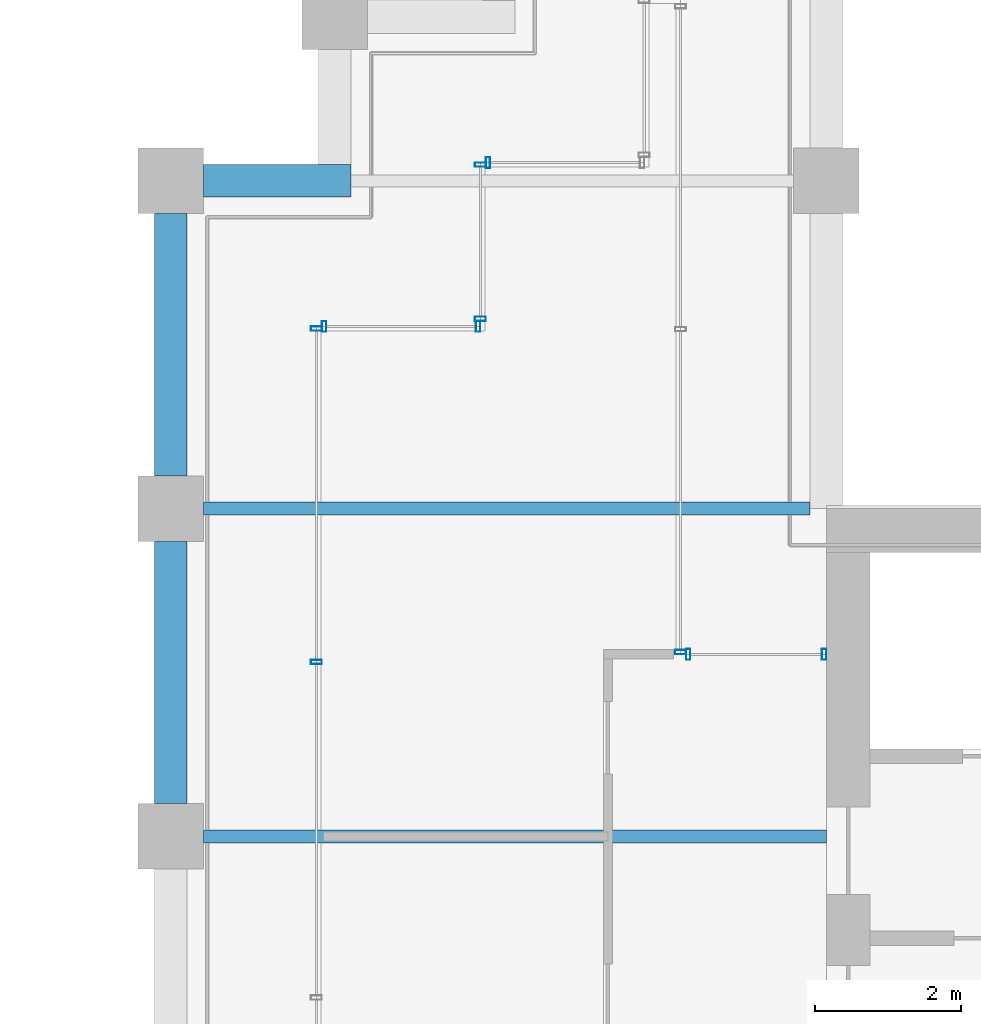
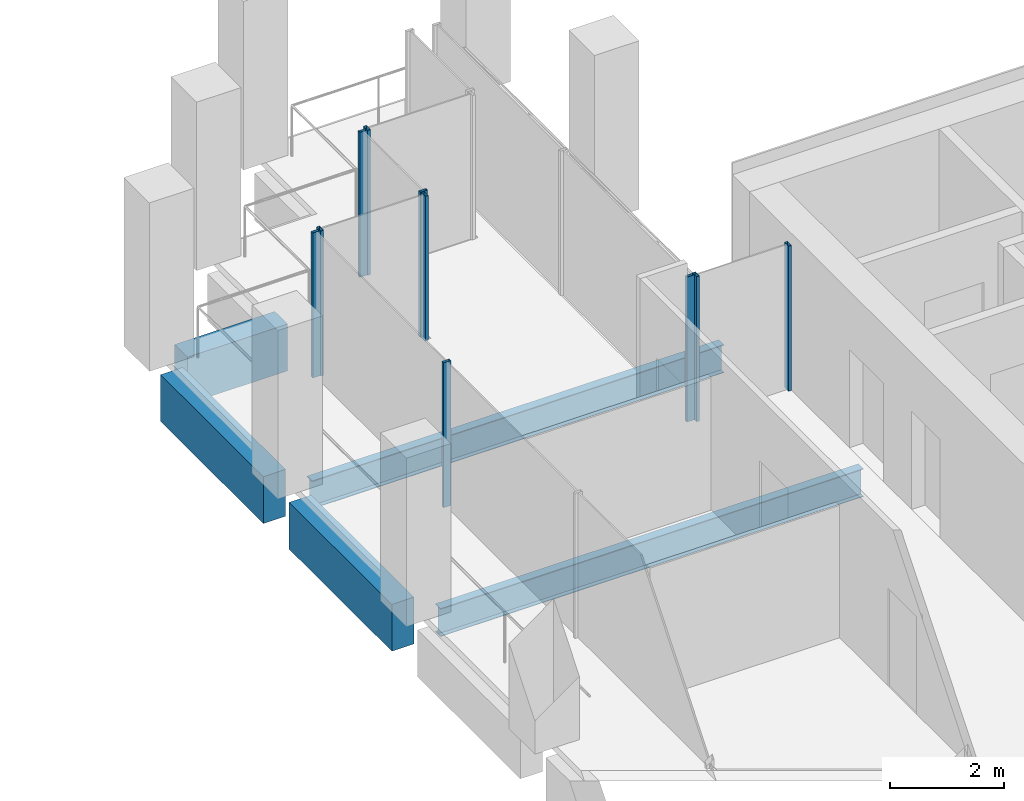
# One storey, part 32 of 40: 10 members, 5 beams, 6 elements without a shape of their own.
"""IFC4 building model written with IfcOpenShell, lengths in metres."""

import ifcopenshell
import ifcopenshell.guid

model = None  # the IFC model being written
_history = None  # IfcOwnerHistory: only IFC2X3 demands one
_inside = {}  # id of a spatial element -> (the spatial element, [elements in it])
_under = {}  # id of a project, library or spatial element -> (it, [spatial elements below it])
_declared = {}  # id of a project -> (the project, [libraries it declares])
_typed = {}  # id of a type object -> (the type object, [elements of that type])
_made_of = {}  # id of a material, layer set ... -> (it, [elements and type objects made of it])


def new_model(schema):
    """Start an empty IFC model of exactly this schema.

    Asked for "IFC4X3", IfcOpenShell would pick the latest addendum, in which some entities
    have other attributes; the version numbers below select the first issue.
    IFC2X3 requires an IfcOwnerHistory on every rooted entity: one is made here for all.
    """
    global model, _history
    if schema == "IFC4X3":
        model = ifcopenshell.file(schema_version=(4, 3, 0, 0))
    else:
        model = ifcopenshell.file(schema=schema)
    _inside.clear()
    _under.clear()
    _declared.clear()
    _typed.clear()
    _made_of.clear()
    _history = None
    if model.schema == "IFC2X3":
        org = make("IfcOrganization", Name="unknown")
        user = make(
            "IfcPersonAndOrganization",
            ThePerson=make("IfcPerson", FamilyName="unknown"),
            TheOrganization=org,
        )
        app = make(
            "IfcApplication",
            ApplicationDeveloper=org,
            Version="unknown",
            ApplicationFullName="unknown",
            ApplicationIdentifier="unknown",
        )
        _history = make(
            "IfcOwnerHistory",
            OwningUser=user,
            OwningApplication=app,
            ChangeAction="ADDED",
            CreationDate=0,
        )
    return model


def make(cls, **values):
    """One entity of the class cls with the attributes given. An attribute that is None is left unset."""
    return model.create_entity(
        cls, **{name: value for name, value in values.items() if value is not None}
    )


def rooted(cls, **values):
    """An entity with a GlobalId (a new one), such as an element, a storey or a relation."""
    return make(cls, GlobalId=ifcopenshell.guid.new(), OwnerHistory=_history, **values)


def si_unit(unit_type, name, prefix=None):
    """IfcSIUnit, for example si_unit("LENGTHUNIT", "METRE", prefix="MILLI")."""
    return make("IfcSIUnit", UnitType=unit_type, Prefix=prefix, Name=name)


def assignment(units):
    """IfcUnitAssignment: the units of a project."""
    return None if units is None else make("IfcUnitAssignment", Units=units)


def point(xyz):
    """IfcCartesianPoint."""
    return None if xyz is None else make("IfcCartesianPoint", Coordinates=xyz)


def direction(xyz):
    """IfcDirection."""
    return None if xyz is None else make("IfcDirection", DirectionRatios=xyz)


def frame(location, z_axis=None, x_axis=None):
    """IfcAxis2Placement3D, a coordinate frame: its origin and axes. An axis left out is left unset."""
    return make(
        "IfcAxis2Placement3D",
        Location=point(location),
        Axis=direction(z_axis),
        RefDirection=direction(x_axis),
    )


def frame_2d(location, x_axis=None):
    """IfcAxis2Placement2D, a coordinate frame in the plane: its origin and x axis."""
    return make(
        "IfcAxis2Placement2D", Location=point(location), RefDirection=direction(x_axis)
    )


def origin():
    """The frame at (0, 0, 0) with its axes left unset."""
    return frame((0.0, 0.0, 0.0))


def origin_2d():
    """The frame at (0, 0) in the plane with its x axis left unset."""
    return frame_2d((0.0, 0.0))


def place(relative_to, where):
    """IfcLocalPlacement: puts the frame where relative to a parent placement (None: the world)."""
    return make(
        "IfcLocalPlacement", PlacementRelTo=relative_to, RelativePlacement=where
    )


def context(
    kind, dimensions, precision=None, world=None, true_north=None, identifier=None
):
    """IfcGeometricRepresentationContext, for example the 3D "Model" context."""
    return make(
        "IfcGeometricRepresentationContext",
        ContextIdentifier=identifier,
        ContextType=kind,
        CoordinateSpaceDimension=dimensions,
        Precision=precision,
        WorldCoordinateSystem=world,
        TrueNorth=true_north,
    )


def subcontext(parent, identifier, kind, view, scale=None):
    """IfcGeometricRepresentationSubContext, for example "Body" below "Model"."""
    return make(
        "IfcGeometricRepresentationSubContext",
        ContextIdentifier=identifier,
        ContextType=kind,
        ParentContext=parent,
        TargetScale=scale,
        TargetView=view,
    )


def project(units=None, contexts=None):
    """IfcProject with its units and contexts."""
    return rooted(
        "IfcProject",
        Name="project",
        RepresentationContexts=contexts,
        UnitsInContext=assignment(units),
    )


def spatial(cls, under=None, at=None, **own):
    """A site, building, storey or space (cls), placed at a placement, below another one or the project."""
    s = rooted(cls, ObjectPlacement=at, **own)
    if under is not None:
        _under.setdefault(under.id(), (under, []))[1].append(s)
    return s


def profile(cls, at=None, kind="AREA", **sizes):
    """A parametric profile (cls). Its sizes go by their IFC names, for example OverallWidth=200.0."""
    return make(cls, ProfileType=kind, Position=at, **sizes)


def rectangle(**sizes):
    """IfcRectangleProfileDef."""
    return profile("IfcRectangleProfileDef", **sizes)


def hollow_rectangle(**sizes):
    """IfcRectangleHollowProfileDef."""
    return profile("IfcRectangleHollowProfileDef", **sizes)


def i_section(**sizes):
    """IfcIShapeProfileDef."""
    return profile("IfcIShapeProfileDef", **sizes)


def extrude(swept, where, along, depth):
    """IfcExtrudedAreaSolid: the profile swept, set in the frame where, extruded along a direction by depth."""
    return make(
        "IfcExtrudedAreaSolid",
        SweptArea=swept,
        Position=where,
        ExtrudedDirection=direction(along),
        Depth=depth,
    )


def shape(context_of_items, identifier, shape_type, items):
    """IfcShapeRepresentation: the items that make up one representation, for example the "Body"."""
    return make(
        "IfcShapeRepresentation",
        ContextOfItems=context_of_items,
        RepresentationIdentifier=identifier,
        RepresentationType=shape_type,
        Items=items,
    )


def material(Name=None, Category=None):
    """IfcMaterial."""
    return make("IfcMaterial", Name=Name, Category=Category)


def material_profile(
    of_material, cross_section, Name=None, Category=None, Priority=None
):
    """IfcMaterialProfile: a cross section and its material."""
    return make(
        "IfcMaterialProfile",
        Name=Name,
        Material=of_material,
        Profile=cross_section,
        Priority=Priority,
        Category=Category,
    )


def profile_set(profiles, Name=None, composite=None):
    """IfcMaterialProfileSet."""
    return make(
        "IfcMaterialProfileSet",
        Name=Name,
        MaterialProfiles=profiles,
        CompositeProfile=composite,
    )


def made_of(thing, what):
    """Note that an element or type object is made of a material, layer set ...; save() writes the relation."""
    if what is not None:
        _made_of.setdefault(what.id(), (what, []))[1].append(thing)
    return thing


def type_object(cls, material=None, **own):
    """A type object (cls), such as IfcWallType, which elements share."""
    return made_of(rooted(cls, **own), material)


def element(
    cls,
    number,
    at=None,
    inside=None,
    cuts=None,
    type_object=None,
    material=None,
    context=None,
    identifier="Body",
    shape_type=None,
    held_by="IfcProductDefinitionShape",
    body=None,
    shapes=None,
    **own,
):
    """One element of the class cls, such as IfcWall. Its Tag is "e" and its number.

    at: its placement. inside: the storey or other place that contains it. cuts: it is an
    opening in that element (IfcRelVoidsElement). A single representation is given by context,
    identifier, shape_type and body (its items); several are given by shapes. held_by: the class
    of the entity that holds the representations. save() writes the other relations.
    """
    e = rooted(cls, Tag="e%d" % number, ObjectPlacement=at, **own)
    if body is not None:
        shapes = [shape(context, identifier, shape_type, body)]
    if shapes is not None:
        e.Representation = make(held_by, Representations=shapes)
    if inside is not None:
        _inside.setdefault(inside.id(), (inside, []))[1].append(e)
    if cuts is not None:
        rooted(
            "IfcRelVoidsElement", RelatingBuildingElement=cuts, RelatedOpeningElement=e
        )
    if type_object is not None:
        _typed.setdefault(type_object.id(), (type_object, []))[1].append(e)
    return made_of(e, material)


def aggregate(whole, parts):
    """IfcRelAggregates: a whole, such as a stair, and the parts it consists of."""
    return rooted("IfcRelAggregates", RelatingObject=whole, RelatedObjects=parts)


def save(model, path):
    """Write the relations noted so far, then the file.

    IfcRelAggregates (storeys below a building ...), IfcRelContainedInSpatialStructure (elements
    in a storey), IfcRelDefinesByType, IfcRelAssociatesMaterial and IfcRelDeclares: one each for
    every whole, place, type object, material and project.
    """
    for whole, parts in _under.values():
        aggregate(whole, parts)
    for where, things in _inside.values():
        rooted(
            "IfcRelContainedInSpatialStructure",
            RelatedElements=things,
            RelatingStructure=where,
        )
    for kind, things in _typed.values():
        rooted("IfcRelDefinesByType", RelatedObjects=things, RelatingType=kind)
    for what, things in _made_of.values():
        rooted("IfcRelAssociatesMaterial", RelatedObjects=things, RelatingMaterial=what)
    for by, libraries in _declared.values():
        rooted("IfcRelDeclares", RelatingContext=by, RelatedDefinitions=libraries)
    model.write(path)


model = new_model("IFC4")

# Units and contexts
model_context = context("Model", 3, precision=1e-05, world=origin(), true_north=direction((0.0, 1.0)))
body_context = subcontext(model_context, "Body", "Model", "MODEL_VIEW")
ifc_project = project(units=[si_unit("LENGTHUNIT", "METRE"), si_unit("AREAUNIT", "SQUARE_METRE"), si_unit("VOLUMEUNIT", "CUBIC_METRE"), si_unit("PLANEANGLEUNIT", "RADIAN"), si_unit("MASSUNIT", "GRAM", prefix="KILO")], contexts=[model_context])

# Site, building, storey
site_placement = place(None, origin())
site = spatial("IfcSite", under=ifc_project, at=site_placement, CompositionType="ELEMENT")
building_placement = place(site_placement, origin())
building = spatial("IfcBuilding", under=site, at=building_placement, Name="Altepetl Exchange Towers", CompositionType="ELEMENT")
storey_placement = place(building_placement, frame((0.0, 0.0, 172.60009765625)))
storey = spatial("IfcBuildingStorey", under=building, at=storey_placement, Name="L43", CompositionType="ELEMENT", Elevation=172.60009765625)

# Beams
ifc_material_1 = material(Name="Steel S355", Category="steel")
ifc_material_profile_1 = material_profile(ifc_material_1, i_section(OverallWidth=0.177978515625, OverallDepth=0.59912109375, WebThickness=0.010009765625, FlangeThickness=0.0126953125, at=origin_2d()), Name="W24X55")
ifc_profile_set_1 = profile_set([ifc_material_profile_1], Name="Steel S355")
beam_type_1 = type_object("IfcBeamType", Name="Floor beam W24X55", PredefinedType="BEAM", material=ifc_profile_set_1)
beam_1_placement = place(storey_placement, frame((94.949951171875, 45.0, -0.44970703125), z_axis=(1.0, 0.0, 0.0), x_axis=(0.0, 1.0, 0.0)))
element("IfcBeam", 1, at=beam_1_placement, inside=storey, type_object=beam_type_1, Name="bm:B:L43:005", PredefinedType="BEAM", context=body_context, shape_type="SweptSolid", body=[
    extrude(i_section(OverallWidth=0.177978515625, OverallDepth=0.59912109375, WebThickness=0.010009765625, FlangeThickness=0.0126953125, at=origin_2d()), origin(), (0.0, 0.0, 1.0), 8.550048828125),
])
beam_2_placement = place(storey_placement, frame((94.949951171875, 49.5, -0.44970703125), z_axis=(1.0, 0.0, 0.0), x_axis=(0.0, 1.0, 0.0)))
element("IfcBeam", 2, at=beam_2_placement, inside=storey, type_object=beam_type_1, Name="bm:B:L43:006", PredefinedType="BEAM", context=body_context, shape_type="SweptSolid", body=[
    extrude(i_section(OverallWidth=0.177978515625, OverallDepth=0.59912109375, WebThickness=0.010009765625, FlangeThickness=0.0126953125, at=origin_2d()), origin(), (0.0, 0.0, 1.0), 8.324951171875),
])

# Curtain wall, members
ifc_material_2 = material(Name="Aluminium 6063-T6 glazing", Category="aluminium")
curtain_wall_type = type_object("IfcCurtainWallType", Name="Loggia glazing system", PredefinedType="NOTDEFINED", material=ifc_material_2)
curtain_wall_1_placement = place(storey_placement, origin())
curtain_wall_1 = element("IfcCurtainWall", 3, at=curtain_wall_1_placement, inside=storey, type_object=curtain_wall_type, Name="CW1 run", PredefinedType="NOTDEFINED")
ifc_material_3 = material(Name="Aluminium 6063-T6", Category="aluminium")
ifc_material_profile_2 = material_profile(ifc_material_3, hollow_rectangle(XDim=0.06005859375, YDim=0.14990234375, WallThickness=0.0029296875, at=origin_2d()), Name="Mullion 60x150 aluminium")
ifc_profile_set_2 = profile_set([ifc_material_profile_2], Name="Aluminium 6063-T6")
member_type = type_object("IfcMemberType", Name="Mullion 60x150 aluminium", PredefinedType="MULLION", material=ifc_profile_set_2)
member_1_placement = place(storey_placement, frame((103.469970703125, 47.5, 0.0), z_axis=(0.0, 0.0, 1.0), x_axis=(-1.0, 0.0, 0.0)))
member_1 = element("IfcMember", 4, at=member_1_placement, type_object=member_type, Name="MU1 mullion", PredefinedType="MULLION", context=body_context, shape_type="SweptSolid", body=[
    extrude(hollow_rectangle(XDim=0.06005859375, YDim=0.14990234375, WallThickness=0.0029296875, at=origin_2d()), origin(), (0.0, 0.0, 1.0), 3.099853515625),
])
member_2_placement = place(storey_placement, frame((101.60498046875, 47.5, 0.0), z_axis=(0.0, 0.0, 1.0), x_axis=(-1.0, 0.0, 0.0)))
member_2 = element("IfcMember", 5, at=member_2_placement, type_object=member_type, Name="MU1 mullion", PredefinedType="MULLION", context=body_context, shape_type="SweptSolid", body=[
    extrude(hollow_rectangle(XDim=0.06005859375, YDim=0.14990234375, WallThickness=0.0029296875, at=origin_2d()), origin(), (0.0, 0.0, 1.0), 3.099853515625),
])
aggregate(curtain_wall_1, [member_1, member_2])

# Curtain wall, member
curtain_wall_2_placement = place(storey_placement, origin())
curtain_wall_2 = element("IfcCurtainWall", 6, at=curtain_wall_2_placement, inside=storey, type_object=curtain_wall_type, Name="CW1 run", PredefinedType="NOTDEFINED")
member_3_placement = place(storey_placement, frame((101.5, 47.530029296875, 0.0), z_axis=(0.0, 0.0, 1.0), x_axis=(0.0, 1.0, 0.0)))
member_3 = element("IfcMember", 7, at=member_3_placement, type_object=member_type, Name="MU1 mullion", PredefinedType="MULLION", context=body_context, shape_type="SweptSolid", body=[
    extrude(hollow_rectangle(XDim=0.06005859375, YDim=0.14990234375, WallThickness=0.0029296875, at=origin_2d()), origin(), (0.0, 0.0, 1.0), 3.099853515625),
])
aggregate(curtain_wall_2, [member_3])

curtain_wall_3_placement = place(storey_placement, origin())
curtain_wall_3 = element("IfcCurtainWall", 8, at=curtain_wall_3_placement, inside=storey, type_object=curtain_wall_type, Name="CW1 run", PredefinedType="NOTDEFINED")
member_4_placement = place(storey_placement, frame((98.85498046875, 54.25, 0.0), z_axis=(0.0, 0.0, 1.0), x_axis=(-1.0, 0.0, 0.0)))
member_4 = element("IfcMember", 9, at=member_4_placement, type_object=member_type, Name="MU1 mullion", PredefinedType="MULLION", context=body_context, shape_type="SweptSolid", body=[
    extrude(hollow_rectangle(XDim=0.06005859375, YDim=0.14990234375, WallThickness=0.0029296875, at=origin_2d()), origin(), (0.0, 0.0, 1.0), 3.099853515625),
])
aggregate(curtain_wall_3, [member_4])

# Curtain wall, members
curtain_wall_4_placement = place(storey_placement, origin())
curtain_wall_4 = element("IfcCurtainWall", 10, at=curtain_wall_4_placement, inside=storey, type_object=curtain_wall_type, Name="CW1 run", PredefinedType="NOTDEFINED")
member_5_placement = place(storey_placement, frame((98.75, 54.219970703125, 0.0), z_axis=(0.0, 0.0, 1.0), x_axis=(0.0, -1.0, 0.0)))
member_5 = element("IfcMember", 11, at=member_5_placement, type_object=member_type, Name="MU1 mullion", PredefinedType="MULLION", context=body_context, shape_type="SweptSolid", body=[
    extrude(hollow_rectangle(XDim=0.06005859375, YDim=0.14990234375, WallThickness=0.0029296875, at=origin_2d()), origin(), (0.0, 0.0, 1.0), 3.099853515625),
])
member_6_placement = place(storey_placement, frame((98.75, 52.10498046875, 0.0), z_axis=(0.0, 0.0, 1.0), x_axis=(0.0, -1.0, 0.0)))
member_6 = element("IfcMember", 12, at=member_6_placement, type_object=member_type, Name="MU1 mullion", PredefinedType="MULLION", context=body_context, shape_type="SweptSolid", body=[
    extrude(hollow_rectangle(XDim=0.06005859375, YDim=0.14990234375, WallThickness=0.0029296875, at=origin_2d()), origin(), (0.0, 0.0, 1.0), 3.099853515625),
])
aggregate(curtain_wall_4, [member_5, member_6])

curtain_wall_5_placement = place(storey_placement, origin())
curtain_wall_5 = element("IfcCurtainWall", 13, at=curtain_wall_5_placement, inside=storey, type_object=curtain_wall_type, Name="CW1 run", PredefinedType="NOTDEFINED")
member_7_placement = place(storey_placement, frame((98.719970703125, 52.0, 0.0), z_axis=(0.0, 0.0, 1.0), x_axis=(-1.0, 0.0, 0.0)))
member_7 = element("IfcMember", 14, at=member_7_placement, type_object=member_type, Name="MU1 mullion", PredefinedType="MULLION", context=body_context, shape_type="SweptSolid", body=[
    extrude(hollow_rectangle(XDim=0.06005859375, YDim=0.14990234375, WallThickness=0.0029296875, at=origin_2d()), origin(), (0.0, 0.0, 1.0), 3.099853515625),
])
member_8_placement = place(storey_placement, frame((96.60498046875, 52.0, 0.0), z_axis=(0.0, 0.0, 1.0), x_axis=(-1.0, 0.0, 0.0)))
member_8 = element("IfcMember", 15, at=member_8_placement, type_object=member_type, Name="MU1 mullion", PredefinedType="MULLION", context=body_context, shape_type="SweptSolid", body=[
    extrude(hollow_rectangle(XDim=0.06005859375, YDim=0.14990234375, WallThickness=0.0029296875, at=origin_2d()), origin(), (0.0, 0.0, 1.0), 3.099853515625),
])
aggregate(curtain_wall_5, [member_7, member_8])

curtain_wall_6_placement = place(storey_placement, origin())
curtain_wall_6 = element("IfcCurtainWall", 16, at=curtain_wall_6_placement, inside=storey, type_object=curtain_wall_type, Name="CW1 run", PredefinedType="NOTDEFINED")
member_9_placement = place(storey_placement, frame((96.5, 51.969970703125, 0.0), z_axis=(0.0, 0.0, 1.0), x_axis=(0.0, -1.0, 0.0)))
member_9 = element("IfcMember", 17, at=member_9_placement, type_object=member_type, Name="MU1 mullion", PredefinedType="MULLION", context=body_context, shape_type="SweptSolid", body=[
    extrude(hollow_rectangle(XDim=0.06005859375, YDim=0.14990234375, WallThickness=0.0029296875, at=origin_2d()), origin(), (0.0, 0.0, 1.0), 3.099853515625),
])
member_10_placement = place(storey_placement, frame((96.5, 47.393798828125, 0.0), z_axis=(0.0, 0.0, 1.0), x_axis=(0.0, -1.0, 0.0)))
member_10 = element("IfcMember", 18, at=member_10_placement, type_object=member_type, Name="MU1 mullion", PredefinedType="MULLION", context=body_context, shape_type="SweptSolid", body=[
    extrude(hollow_rectangle(XDim=0.06005859375, YDim=0.14990234375, WallThickness=0.0029296875, at=origin_2d()), origin(), (0.0, 0.0, 1.0), 3.099853515625),
])
aggregate(curtain_wall_6, [member_9, member_10])

# Beams
ifc_material_4 = material(Name="Concrete C50/60 precast with cantera rosa facing", Category="concrete")
ifc_material_profile_3 = material_profile(ifc_material_4, rectangle(XDim=0.449951171875, YDim=1.0, at=origin_2d()), Name="450 x 1000")
ifc_profile_set_3 = profile_set([ifc_material_profile_3], Name="Concrete C50/60 precast with cantera rosa facing")
beam_type_2 = type_object("IfcBeamType", Name="Spandrel beam 450x1000 cantera rosa", PredefinedType="SPANDREL", material=ifc_profile_set_3)
beam_3_placement = place(storey_placement, frame((96.97509765625, 54.0, -0.650146484375), z_axis=(-1.0, 0.0, 0.0), x_axis=(0.0, -1.0, 0.0)))
element("IfcBeam", 19, at=beam_3_placement, inside=storey, type_object=beam_type_2, Name="sp:B:L43:014", PredefinedType="SPANDREL", context=body_context, shape_type="SweptSolid", body=[
    extrude(rectangle(XDim=0.449951171875, YDim=1.0, at=origin_2d()), origin(), (0.0, 0.0, 1.0), 2.025146484375),
])
for number, where, z_axis, x_axis, name in (
    (20, (94.5, 53.550048828125, -0.650146484375), (0.0, -1.0, 0.0), (1.0, 0.0, 0.0), "sp:B:L43:015"),
    (21, (94.5, 49.050048828125, -0.650146484375), (0.0, -1.0, 0.0), (1.0, 0.0, 0.0), "sp:B:L43:016"),
):
    element("IfcBeam", number, at=place(storey_placement, frame(where, z_axis=z_axis, x_axis=x_axis)), inside=storey, type_object=beam_type_2, Name=name, PredefinedType="SPANDREL", context=body_context, shape_type="SweptSolid", body=[
        extrude(rectangle(XDim=0.449951171875, YDim=1.0, at=origin_2d()), origin(), (0.0, 0.0, 1.0), 3.60009765625),
    ])

save(model, "model.ifc")
